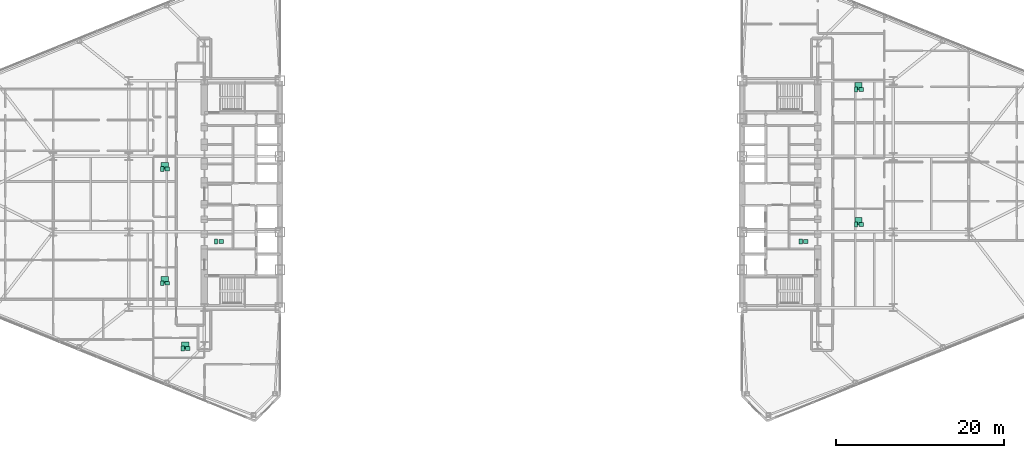
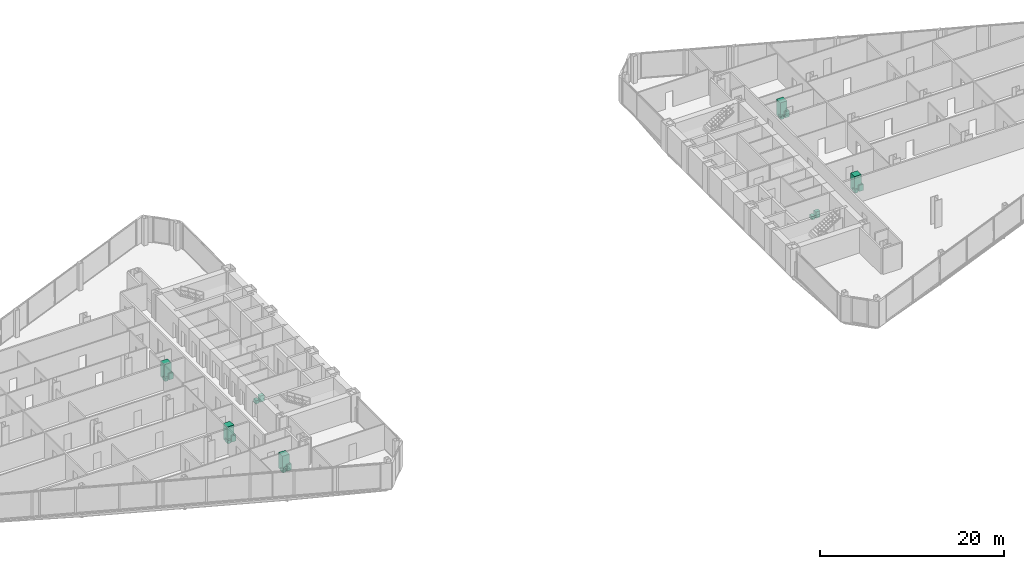
# One storey, part 25 of 25: 19 sanitary terminals.
"""IFC4 building model written with IfcOpenShell, lengths in metres."""

from ifc_helpers import new_model, si_unit, direction, frame, origin, origin_2d, place, context, subcontext, project, spatial, rectangle, extrude, source, transform, mapped, material, type_object, type_shapes, element, save


model = new_model("IFC4")

# Units and contexts
model_context = context("Model", 3, precision=1e-05, world=origin(), true_north=direction((0.0, 1.0)))
body_context = subcontext(model_context, "Body", "Model", "MODEL_VIEW")
ifc_project = project(units=[si_unit("LENGTHUNIT", "METRE"), si_unit("AREAUNIT", "SQUARE_METRE"), si_unit("VOLUMEUNIT", "CUBIC_METRE"), si_unit("PLANEANGLEUNIT", "RADIAN"), si_unit("MASSUNIT", "GRAM", prefix="KILO")], contexts=[model_context])

# Site, building, storey
site_placement = place(None, origin())
site = spatial("IfcSite", under=ifc_project, at=site_placement, CompositionType="ELEMENT")
building_placement = place(site_placement, origin())
building = spatial("IfcBuilding", under=site, at=building_placement, Name="Seokmaru Belvedere", CompositionType="ELEMENT")
storey_placement = place(building_placement, frame((0.0, 0.0, 58.5)))
storey = spatial("IfcBuildingStorey", under=building, at=storey_placement, Name="L15", CompositionType="ELEMENT", Elevation=58.5)

# Sanitary terminals
ifc_material_1 = material(Name="Vitreous China Sanitaryware")
sanitary_terminal_type_1 = type_object("IfcSanitaryTerminalType", Name="Wall-Hung Vitreous China WC Pan", PredefinedType="TOILETPAN", material=ifc_material_1)
shared_shape_1 = source(origin(), body_context, "Body", "SweptSolid", [
    extrude(rectangle(XDim=0.3798828125, YDim=0.56005859375, at=origin_2d()), origin(), (0.0, 0.0, 1.0), 0.419921875),
])
type_shapes(sanitary_terminal_type_1, [shared_shape_1])
for number, where, z_axis, x_axis, name in (
    (1, (-35.10009765625, -5.625, 0.0), (0.0, 0.0, 1.0), (1.0, 0.0, 0.0), "L15 Vitreous China WC 0087"),
    (2, (34.5, -5.625, 0.0), (0.0, 0.0, 1.0), (1.0, 0.0, 0.0), "L15 Vitreous China WC 0088"),
    (3, (-39.0830078125, -18.383056640625, 0.0), (0.0, 0.0, 1.0), (1.0, 0.0, 0.0), "L15 Vitreous China WC 0089"),
    (4, (-41.52490234375, -10.611083984375, 0.0), (0.0, 0.0, 1.0), (1.0, 0.0, 0.0), "L15 Vitreous China WC 0090"),
    (5, (-41.52490234375, 2.98388671875, 0.0), (0.0, 0.0, 1.0), (1.0, 0.0, 0.0), "L15 Vitreous China WC 0091"),
    (6, (41.074951171875, -3.611083984375, 0.0), (0.0, 0.0, 1.0), (1.0, 0.0, 0.0), "L15 Vitreous China WC 0092"),
    (7, (41.074951171875, 12.469970703125, 0.0), (0.0, 0.0, 1.0), (1.0, 0.0, 0.0), "L15 Vitreous China WC 0093"),
):
    element("IfcSanitaryTerminal", number, at=place(storey_placement, frame(where, z_axis=z_axis, x_axis=x_axis)), inside=storey, type_object=sanitary_terminal_type_1, Name=name, PredefinedType="TOILETPAN", context=body_context, shape_type="MappedRepresentation", body=[
        mapped(shared_shape_1, transform((0.0, 0.0, 0.0), scale=1.0)),
    ])
sanitary_terminal_type_2 = type_object("IfcSanitaryTerminalType", Name="Countertop Ceramic Washhand Basin", PredefinedType="WASHHANDBASIN", material=ifc_material_1)
shared_shape_2 = source(origin(), body_context, "Body", "SweptSolid", [
    extrude(rectangle(XDim=0.550048828125, YDim=0.449951171875, at=origin_2d()), origin(), (0.0, 0.0, 1.0), 0.820068359375),
])
type_shapes(sanitary_terminal_type_2, [shared_shape_2])
for number, where, z_axis, x_axis, name in (
    (8, (-34.5, -5.625, 0.0), (0.0, 0.0, 1.0), (1.0, 0.0, 0.0), "L15 Ceramic Washhand Basin 0087"),
    (9, (35.10009765625, -5.625, 0.0), (0.0, 0.0, 1.0), (1.0, 0.0, 0.0), "L15 Ceramic Washhand Basin 0088"),
    (10, (-38.48291015625, -18.383056640625, 0.0), (0.0, 0.0, 1.0), (1.0, 0.0, 0.0), "L15 Ceramic Washhand Basin 0089"),
    (11, (-40.925048828125, -10.611083984375, 0.0), (0.0, 0.0, 1.0), (1.0, 0.0, 0.0), "L15 Ceramic Washhand Basin 0090"),
    (12, (-40.925048828125, 2.98388671875, 0.0), (0.0, 0.0, 1.0), (1.0, 0.0, 0.0), "L15 Ceramic Washhand Basin 0091"),
    (13, (41.675048828125, -3.611083984375, 0.0), (0.0, 0.0, 1.0), (1.0, 0.0, 0.0), "L15 Ceramic Washhand Basin 0092"),
    (14, (41.675048828125, 12.469970703125, 0.0), (0.0, 0.0, 1.0), (1.0, 0.0, 0.0), "L15 Ceramic Washhand Basin 0093"),
):
    element("IfcSanitaryTerminal", number, at=place(storey_placement, frame(where, z_axis=z_axis, x_axis=x_axis)), inside=storey, type_object=sanitary_terminal_type_2, Name=name, PredefinedType="WASHHANDBASIN", context=body_context, shape_type="MappedRepresentation", body=[
        mapped(shared_shape_2, transform((0.0, 0.0, 0.0), scale=1.0)),
    ])
ifc_material_2 = material(Name="Stainless Steel 316", Category="steel")
sanitary_terminal_type_3 = type_object("IfcSanitaryTerminalType", Name="Walk-In Thermostatic Rain Shower Enclosure", PredefinedType="SHOWER", material=ifc_material_2)
shared_shape_3 = source(origin(), body_context, "Body", "SweptSolid", [
    extrude(rectangle(XDim=0.85009765625, YDim=0.85009765625, at=origin_2d()), origin(), (0.0, 0.0, 1.0), 2.050048828125),
])
type_shapes(sanitary_terminal_type_3, [shared_shape_3])
for number, where, z_axis, x_axis, name in (
    (15, (-38.782958984375, -18.0029296875, 0.0), (0.0, 0.0, 1.0), (1.0, 0.0, 0.0), "L15 Walk-In Shower 0089"),
    (16, (-41.22509765625, -10.23095703125, 0.0), (0.0, 0.0, 1.0), (1.0, 0.0, 0.0), "L15 Walk-In Shower 0090"),
    (17, (-41.22509765625, 3.364013671875, 0.0), (0.0, 0.0, 1.0), (1.0, 0.0, 0.0), "L15 Walk-In Shower 0091"),
    (18, (41.375, -3.23095703125, 0.0), (0.0, 0.0, 1.0), (1.0, 0.0, 0.0), "L15 Walk-In Shower 0092"),
    (19, (41.375, 12.85009765625, 0.0), (0.0, 0.0, 1.0), (1.0, 0.0, 0.0), "L15 Walk-In Shower 0093"),
):
    element("IfcSanitaryTerminal", number, at=place(storey_placement, frame(where, z_axis=z_axis, x_axis=x_axis)), inside=storey, type_object=sanitary_terminal_type_3, Name=name, PredefinedType="SHOWER", context=body_context, shape_type="MappedRepresentation", body=[
        mapped(shared_shape_3, transform((0.0, 0.0, 0.0), scale=1.0)),
    ])

save(model, "model.ifc")
